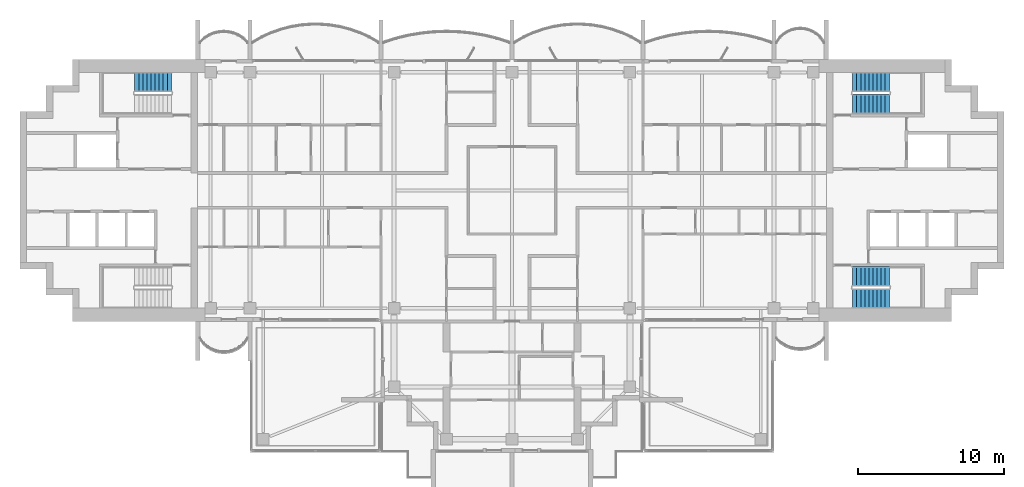
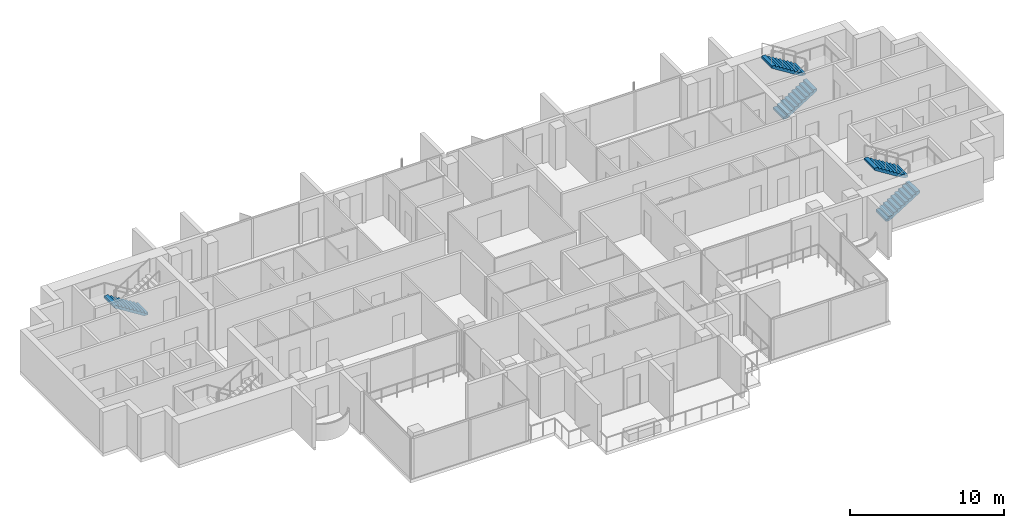
# One storey, part 12 of 16: 5 stair flights, 3 elements without a shape of their own.
"""IFC4 building model written with IfcOpenShell, lengths in metres."""

from ifc_helpers import new_model, si_unit, direction, frame, origin, place, context, subcontext, project, spatial, polyline, outline, extrude, material, type_object, element, aggregate, save


model = new_model("IFC4")

# Units and contexts
model_context = context("Model", 3, precision=1e-05, world=origin(), true_north=direction((0.0, 1.0)))
body_context = subcontext(model_context, "Body", "Model", "MODEL_VIEW")
ifc_project = project(units=[si_unit("LENGTHUNIT", "METRE"), si_unit("AREAUNIT", "SQUARE_METRE"), si_unit("VOLUMEUNIT", "CUBIC_METRE"), si_unit("PLANEANGLEUNIT", "RADIAN"), si_unit("MASSUNIT", "GRAM", prefix="KILO")], contexts=[model_context])

# Site, building, storey
site_placement = place(None, origin())
site = spatial("IfcSite", under=ifc_project, at=site_placement, CompositionType="ELEMENT")
building_placement = place(site_placement, origin())
building = spatial("IfcBuilding", under=site, at=building_placement, Name="Perihelion Cross Residences", CompositionType="ELEMENT")
storey_placement = place(building_placement, frame((0.0, 0.0, 232.5)))
storey = spatial("IfcBuildingStorey", under=building, at=storey_placement, Name="L58", CompositionType="ELEMENT", Elevation=232.5)

# Stair, stair flights
ifc_material_1 = material(Name="Concrete C40/50", Category="concrete")
stair_type = type_object("IfcStairType", Name="Exit stair, half-turn", PredefinedType="HALF_TURN_STAIR", material=ifc_material_1)
stair_1_placement = place(storey_placement, origin())
stair_1 = element("IfcStair", 1, at=stair_1_placement, inside=storey, type_object=stair_type, Name="L58 East core exit stair 1", PredefinedType="HALF_TURN_STAIR")
ifc_material_2 = material(Name="Concrete C40/50", Category="concrete")
stair_flight_type = type_object("IfcStairFlightType", Name="Exit stair flight", PredefinedType="STRAIGHT", material=ifc_material_2)
stair_flight_1_placement = place(storey_placement, frame((23.39990234375, 5.925048828125, 0.0), z_axis=(0.0, 0.0, 1.0), x_axis=(1.0, 0.0, 0.0)))
stair_flight_1 = element("IfcStairFlight", 2, at=stair_flight_1_placement, type_object=stair_flight_type, Name="ST-E1 flight 1", NumberOfRisers=10, NumberOfTreads=9, PredefinedType="STRAIGHT", RiserHeight=0.175, TreadLength=0.28, context=body_context, shape_type="SweptSolid", body=[
    extrude(outline(polyline([(0.0, 0.0), (0.0, 0.175048828125), (0.280029296875, 0.175048828125), (0.280029296875, 0.35009765625), (0.56005859375, 0.35009765625), (0.56005859375, 0.52490234375), (0.840087890625, 0.52490234375), (0.840087890625, 0.699951171875), (1.1201171875, 0.699951171875), (1.1201171875, 0.875), (1.39990234375, 0.875), (1.39990234375, 1.050048828125), (1.679931640625, 1.050048828125), (1.679931640625, 1.22509765625), (1.9599609375, 1.22509765625), (1.9599609375, 1.39990234375), (2.239990234375, 1.39990234375), (2.239990234375, 1.574951171875), (2.52001953125, 1.574951171875), (2.52001953125, 1.75), (2.52001953125, 1.398193359375), (0.28271484375, 0.0), (0.0, 0.0)])), frame((0.0, 0.675048828125, 0.0), z_axis=(0.0, -1.0, 0.0), x_axis=(1.0, 0.0, 0.0)), (0.0, 0.0, 1.0), 1.35009765625),
])
stair_flight_2_placement = place(storey_placement, frame((25.919921875, 7.425048828125, 1.75), z_axis=(0.0, 0.0, 1.0), x_axis=(-1.0, 0.0, 0.0)))
stair_flight_2 = element("IfcStairFlight", 3, at=stair_flight_2_placement, type_object=stair_flight_type, Name="ST-E1 flight 2", NumberOfRisers=10, NumberOfTreads=9, PredefinedType="STRAIGHT", RiserHeight=0.175, TreadLength=0.28, context=body_context, shape_type="SweptSolid", body=[
    extrude(outline(polyline([(0.0, 0.0), (0.0, 0.175048828125), (0.280029296875, 0.175048828125), (0.280029296875, 0.35009765625), (0.56005859375, 0.35009765625), (0.56005859375, 0.52490234375), (0.840087890625, 0.52490234375), (0.840087890625, 0.699951171875), (1.1201171875, 0.699951171875), (1.1201171875, 0.875), (1.39990234375, 0.875), (1.39990234375, 1.050048828125), (1.679931640625, 1.050048828125), (1.679931640625, 1.22509765625), (1.9599609375, 1.22509765625), (1.9599609375, 1.39990234375), (2.239990234375, 1.39990234375), (2.239990234375, 1.574951171875), (2.52001953125, 1.574951171875), (2.52001953125, 1.75), (2.52001953125, 1.398193359375), (0.28271484375, 0.0), (0.0, 0.0)])), frame((0.0, 0.675048828125, 0.0), z_axis=(0.0, -1.0, 0.0), x_axis=(1.0, 0.0, 0.0)), (0.0, 0.0, 1.0), 1.35009765625),
])
aggregate(stair_1, [stair_flight_1, stair_flight_2])

stair_2_placement = place(storey_placement, origin())
stair_2 = element("IfcStair", 4, at=stair_2_placement, inside=storey, type_object=stair_type, Name="L58 East core exit stair 2", PredefinedType="HALF_TURN_STAIR")
stair_flight_3_placement = place(storey_placement, frame((23.39990234375, -7.425048828125, 0.0), z_axis=(0.0, 0.0, 1.0), x_axis=(1.0, 0.0, 0.0)))
stair_flight_3 = element("IfcStairFlight", 5, at=stair_flight_3_placement, type_object=stair_flight_type, Name="ST-E2 flight 1", NumberOfRisers=10, NumberOfTreads=9, PredefinedType="STRAIGHT", RiserHeight=0.175, TreadLength=0.28, context=body_context, shape_type="SweptSolid", body=[
    extrude(outline(polyline([(0.0, 0.0), (0.0, 0.175048828125), (0.280029296875, 0.175048828125), (0.280029296875, 0.35009765625), (0.56005859375, 0.35009765625), (0.56005859375, 0.52490234375), (0.840087890625, 0.52490234375), (0.840087890625, 0.699951171875), (1.1201171875, 0.699951171875), (1.1201171875, 0.875), (1.39990234375, 0.875), (1.39990234375, 1.050048828125), (1.679931640625, 1.050048828125), (1.679931640625, 1.22509765625), (1.9599609375, 1.22509765625), (1.9599609375, 1.39990234375), (2.239990234375, 1.39990234375), (2.239990234375, 1.574951171875), (2.52001953125, 1.574951171875), (2.52001953125, 1.75), (2.52001953125, 1.398193359375), (0.28271484375, 0.0), (0.0, 0.0)])), frame((0.0, 0.675048828125, 0.0), z_axis=(0.0, -1.0, 0.0), x_axis=(1.0, 0.0, 0.0)), (0.0, 0.0, 1.0), 1.35009765625),
])
stair_flight_4_placement = place(storey_placement, frame((25.919921875, -5.925048828125, 1.75), z_axis=(0.0, 0.0, 1.0), x_axis=(-1.0, 0.0, 0.0)))
stair_flight_4 = element("IfcStairFlight", 6, at=stair_flight_4_placement, type_object=stair_flight_type, Name="ST-E2 flight 2", NumberOfRisers=10, NumberOfTreads=9, PredefinedType="STRAIGHT", RiserHeight=0.175, TreadLength=0.28, context=body_context, shape_type="SweptSolid", body=[
    extrude(outline(polyline([(0.0, 0.0), (0.0, 0.175048828125), (0.280029296875, 0.175048828125), (0.280029296875, 0.35009765625), (0.56005859375, 0.35009765625), (0.56005859375, 0.52490234375), (0.840087890625, 0.52490234375), (0.840087890625, 0.699951171875), (1.1201171875, 0.699951171875), (1.1201171875, 0.875), (1.39990234375, 0.875), (1.39990234375, 1.050048828125), (1.679931640625, 1.050048828125), (1.679931640625, 1.22509765625), (1.9599609375, 1.22509765625), (1.9599609375, 1.39990234375), (2.239990234375, 1.39990234375), (2.239990234375, 1.574951171875), (2.52001953125, 1.574951171875), (2.52001953125, 1.75), (2.52001953125, 1.398193359375), (0.28271484375, 0.0), (0.0, 0.0)])), frame((0.0, 0.675048828125, 0.0), z_axis=(0.0, -1.0, 0.0), x_axis=(1.0, 0.0, 0.0)), (0.0, 0.0, 1.0), 1.35009765625),
])
aggregate(stair_2, [stair_flight_3, stair_flight_4])

# Stair, stair flight
stair_3_placement = place(storey_placement, origin())
stair_3 = element("IfcStair", 7, at=stair_3_placement, inside=storey, type_object=stair_type, Name="L58 West core exit stair 1", PredefinedType="HALF_TURN_STAIR")
stair_flight_5_placement = place(storey_placement, frame((-23.39990234375, 7.425048828125, 0.0), z_axis=(0.0, 0.0, 1.0), x_axis=(-1.0, 0.0, 0.0)))
stair_flight_5 = element("IfcStairFlight", 8, at=stair_flight_5_placement, type_object=stair_flight_type, Name="ST-W1 flight 1", NumberOfRisers=10, NumberOfTreads=9, PredefinedType="STRAIGHT", RiserHeight=0.175, TreadLength=0.28, context=body_context, shape_type="SweptSolid", body=[
    extrude(outline(polyline([(0.0, 0.0), (0.0, 0.175048828125), (0.280029296875, 0.175048828125), (0.280029296875, 0.35009765625), (0.56005859375, 0.35009765625), (0.56005859375, 0.52490234375), (0.840087890625, 0.52490234375), (0.840087890625, 0.699951171875), (1.1201171875, 0.699951171875), (1.1201171875, 0.875), (1.39990234375, 0.875), (1.39990234375, 1.050048828125), (1.679931640625, 1.050048828125), (1.679931640625, 1.22509765625), (1.9599609375, 1.22509765625), (1.9599609375, 1.39990234375), (2.239990234375, 1.39990234375), (2.239990234375, 1.574951171875), (2.52001953125, 1.574951171875), (2.52001953125, 1.75), (2.52001953125, 1.398193359375), (0.28271484375, 0.0), (0.0, 0.0)])), frame((0.0, 0.675048828125, 0.0), z_axis=(0.0, -1.0, 0.0), x_axis=(1.0, 0.0, 0.0)), (0.0, 0.0, 1.0), 1.35009765625),
])
aggregate(stair_3, [stair_flight_5])

save(model, "model.ifc")
